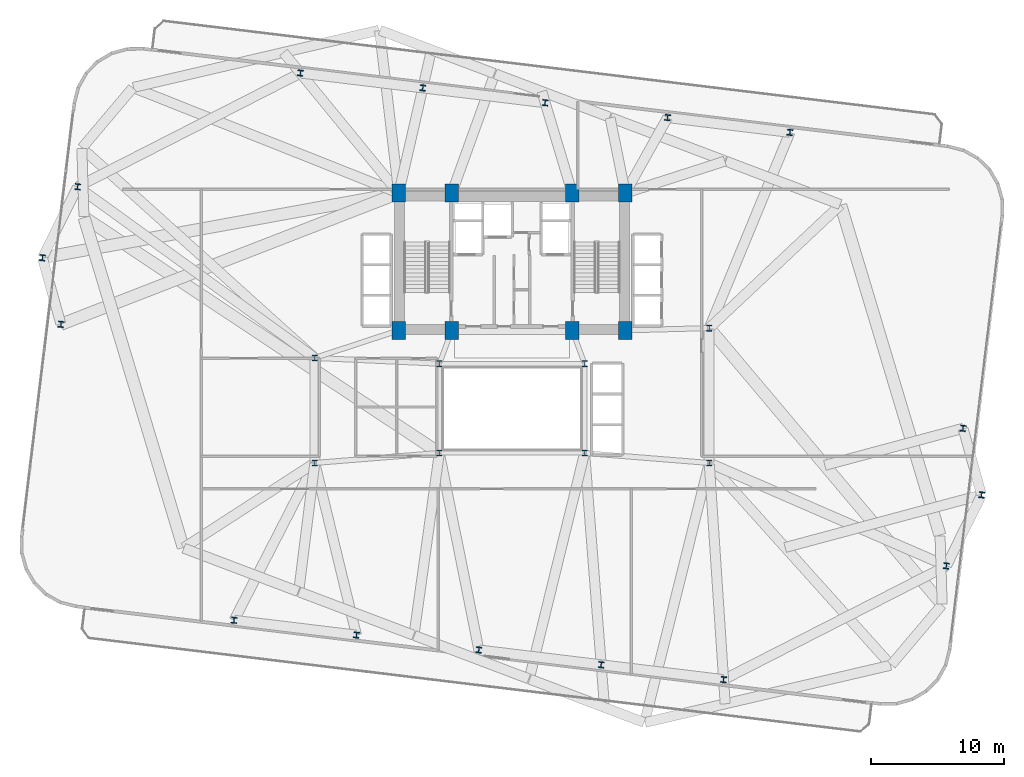
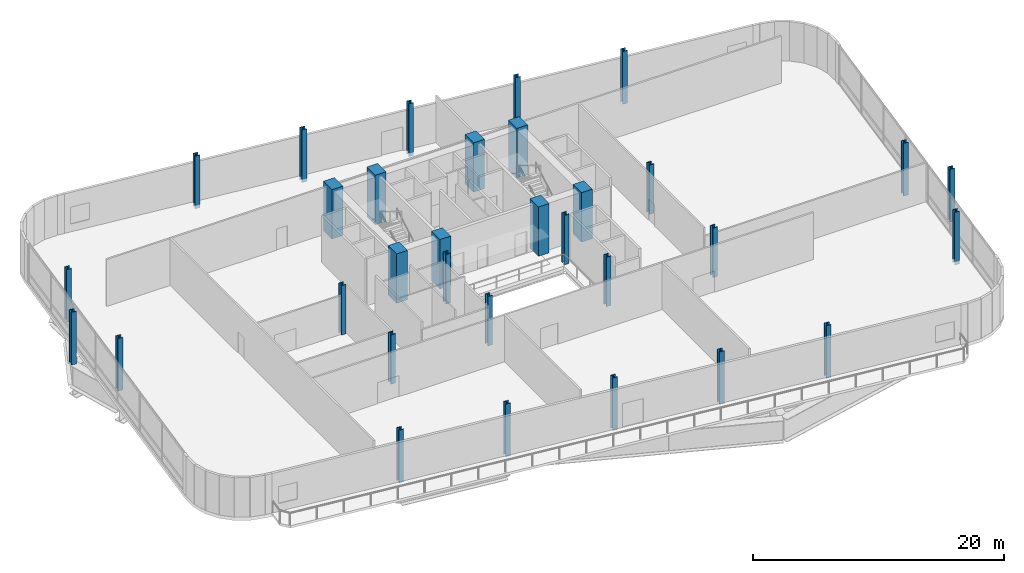
# One storey, part 1 of 22: 32 columns.
"""IFC4 building model written with IfcOpenShell, lengths in metres."""

from ifc_helpers import new_model, si_unit, direction, frame, origin, origin_2d, place, context, subcontext, project, spatial, rectangle, i_section, extrude, material, material_profile, profile_set, type_object, element, save


model = new_model("IFC4")

# Units and contexts
model_context = context("Model", 3, precision=1e-05, world=origin(), true_north=direction((0.0, 1.0)))
body_context = subcontext(model_context, "Body", "Model", "MODEL_VIEW")
ifc_project = project(units=[si_unit("LENGTHUNIT", "METRE"), si_unit("AREAUNIT", "SQUARE_METRE"), si_unit("VOLUMEUNIT", "CUBIC_METRE"), si_unit("PLANEANGLEUNIT", "RADIAN"), si_unit("MASSUNIT", "GRAM", prefix="KILO")], contexts=[model_context])

# Site, building, storey
site_placement = place(None, origin())
site = spatial("IfcSite", under=ifc_project, at=site_placement, CompositionType="ELEMENT")
building_placement = place(site_placement, origin())
building = spatial("IfcBuilding", under=site, at=building_placement, Name="Varnelok Gate Tower", CompositionType="ELEMENT")
storey_placement = place(building_placement, frame((0.0, 0.0, 116.89990234375)))
storey = spatial("IfcBuildingStorey", under=building, at=storey_placement, Name="L29", CompositionType="ELEMENT", Elevation=116.89990234375)

# Columns
ifc_material_1 = material(Name="Concrete C70/85", Category="concrete")
ifc_material_profile_1 = material_profile(ifc_material_1, rectangle(XDim=1.0, YDim=1.35009765625, at=origin_2d()), Name="RC1350X1000")
ifc_profile_set_1 = profile_set([ifc_material_profile_1], Name="Concrete C70/85")
column_type_1 = type_object("IfcColumnType", Name="COL-RC1350X1000", PredefinedType="COLUMN", material=ifc_profile_set_1)
for number, where, z_axis, x_axis, name in (
    (1, (30.699951171875, 28.75, 0.0), (0.0, 0.0, 1.0), (1.0, 0.0, 0.0), "L29 Core Spine Column SC1"),
    (2, (34.679931640625, 28.75, 0.0), (0.0, 0.0, 1.0), (1.0, 0.0, 0.0), "L29 Core Spine Column SC2"),
    (3, (43.719970703125, 28.75, 0.0), (0.0, 0.0, 1.0), (1.0, 0.0, 0.0), "L29 Core Spine Column SC3"),
    (4, (47.699951171875, 28.75, 0.0), (0.0, 0.0, 1.0), (1.0, 0.0, 0.0), "L29 Core Spine Column SC4"),
    (5, (30.699951171875, 39.050048828125, 0.0), (0.0, 0.0, 1.0), (1.0, 0.0, 0.0), "L29 Core Spine Column SC5"),
    (6, (34.679931640625, 39.050048828125, 0.0), (0.0, 0.0, 1.0), (1.0, 0.0, 0.0), "L29 Core Spine Column SC6"),
    (7, (43.719970703125, 39.050048828125, 0.0), (0.0, 0.0, 1.0), (1.0, 0.0, 0.0), "L29 Core Spine Column SC7"),
    (8, (47.699951171875, 39.050048828125, 0.0), (0.0, 0.0, 1.0), (1.0, 0.0, 0.0), "L29 Core Spine Column SC8"),
):
    element("IfcColumn", number, at=place(storey_placement, frame(where, z_axis=z_axis, x_axis=x_axis)), inside=storey, type_object=column_type_1, Name=name, PredefinedType="COLUMN", context=body_context, shape_type="SweptSolid", body=[
        extrude(rectangle(XDim=1.0, YDim=1.35009765625, at=origin_2d()), origin(), (0.0, 0.0, 1.0), 4.800048828125),
    ])
ifc_material_2 = material(Name="Structural Steel ASTM A992 Grade 50", Category="steel")
ifc_material_profile_2 = material_profile(ifc_material_2, i_section(OverallWidth=0.41796875, OverallDepth=0.455078125, WebThickness=0.0419921875, FlangeThickness=0.067626953125, FilletRadius=0.02490234375, at=origin_2d()), Name="W14X370")
ifc_profile_set_2 = profile_set([ifc_material_profile_2], Name="Structural Steel ASTM A992 Grade 50")
column_type_2 = type_object("IfcColumnType", Name="COL-W14X370", PredefinedType="COLUMN", material=ifc_profile_set_2)
for number, where, z_axis, x_axis, name in (
    (9, (18.345703125, 6.99658203125, -0.31982421875), (0.0, 0.0, 1.0), (0.992732158755, -0.12034475881, 0.0), "L29 B3 Perimeter Column PC01"),
    (10, (27.528564453125, 5.883544921875, -0.31982421875), (0.0, 0.0, 1.0), (0.992732158755, -0.12034475881, 0.0), "L29 B3 Perimeter Column PC02"),
    (11, (36.711181640625, 4.770263671875, -0.31982421875), (0.0, 0.0, 1.0), (0.992732158755, -0.12034475881, 0.0), "L29 B3 Perimeter Column PC03"),
    (12, (45.89404296875, 3.656982421875, -0.31982421875), (0.0, 0.0, 1.0), (0.992732158755, -0.12034475881, 0.0), "L29 B3 Perimeter Column PC04"),
    (13, (55.076904296875, 2.5439453125, -0.31982421875), (0.0, 0.0, 1.0), (0.992732158755, -0.12034475881, 0.0), "L29 B3 Perimeter Column PC05"),
    (14, (71.79296875, 11.07421875, -0.31982421875), (0.0, 0.0, 1.0), (0.992732158755, -0.12034475881, 0.0), "L29 B3 Perimeter Column PC06"),
    (15, (74.435546875, 16.40478515625, -0.31982421875), (0.0, 0.0, 1.0), (0.992732158755, -0.12034475881, 0.0), "L29 B3 Perimeter Column PC07"),
    (16, (73.04443359375, 21.398681640625, -0.31982421875), (0.0, 0.0, 1.0), (0.992732158755, -0.12034475881, 0.0), "L29 B3 Perimeter Column PC08"),
    (17, (60.05419921875, 43.603271484375, -0.31982421875), (0.0, 0.0, 1.0), (0.992732158755, -0.12034475881, 0.0), "L29 B3 Perimeter Column PC09"),
    (18, (50.87158203125, 44.716552734375, -0.31982421875), (0.0, 0.0, 1.0), (0.992732158755, -0.12034475881, 0.0), "L29 B3 Perimeter Column PC10"),
    (19, (41.688720703125, 45.82958984375, -0.31982421875), (0.0, 0.0, 1.0), (0.992732158755, -0.12034475881, 0.0), "L29 B3 Perimeter Column PC11"),
    (20, (32.506103515625, 46.94287109375, -0.31982421875), (0.0, 0.0, 1.0), (0.992732158755, -0.12034475881, 0.0), "L29 B3 Perimeter Column PC12"),
    (21, (23.3232421875, 48.05615234375, -0.31982421875), (0.0, 0.0, 1.0), (0.992732158755, -0.12034475881, 0.0), "L29 B3 Perimeter Column PC13"),
    (22, (6.607177734375, 39.52587890625, -0.31982421875), (0.0, 0.0, 1.0), (0.992732158755, -0.12034475881, 0.0), "L29 B3 Perimeter Column PC14"),
    (23, (3.96435546875, 34.195068359375, -0.31982421875), (0.0, 0.0, 1.0), (0.992732158755, -0.12034475881, 0.0), "L29 B3 Perimeter Column PC15"),
    (24, (5.35546875, 29.201416015625, -0.31982421875), (0.0, 0.0, 1.0), (0.992732158755, -0.12034475881, 0.0), "L29 B3 Perimeter Column PC16"),
):
    element("IfcColumn", number, at=place(storey_placement, frame(where, z_axis=z_axis, x_axis=x_axis)), inside=storey, type_object=column_type_2, Name=name, PredefinedType="COLUMN", context=body_context, shape_type="SweptSolid", body=[
        extrude(i_section(OverallWidth=0.41796875, OverallDepth=0.455078125, WebThickness=0.0419921875, FlangeThickness=0.067626953125, FilletRadius=0.02490234375, at=origin_2d()), origin(), (0.0, 0.0, 1.0), 5.119873046875),
    ])
ifc_material_profile_3 = material_profile(ifc_material_2, i_section(OverallWidth=0.424072265625, OverallDepth=0.47412109375, WebThickness=0.047607421875, FlangeThickness=0.0771484375, FilletRadius=0.02490234375, at=origin_2d()), Name="W14X426")
ifc_profile_set_3 = profile_set([ifc_material_profile_3], Name="Structural Steel ASTM A992 Grade 50")
column_type_3 = type_object("IfcColumnType", Name="COL-W14X426", PredefinedType="COLUMN", material=ifc_profile_set_3)
for number, where, z_axis, x_axis, name in (
    (25, (33.75, 19.550048828125, 0.0), (0.0, 0.0, 1.0), (1.0, 0.0, 0.0), "L29 Atrium Spine Column AC1"),
    (26, (44.64990234375, 19.550048828125, 0.0), (0.0, 0.0, 1.0), (1.0, 0.0, 0.0), "L29 Atrium Spine Column AC2"),
    (27, (33.75, 26.25, 0.0), (0.0, 0.0, 1.0), (1.0, 0.0, 0.0), "L29 Atrium Spine Column AC3"),
    (28, (44.64990234375, 26.25, 0.0), (0.0, 0.0, 1.0), (1.0, 0.0, 0.0), "L29 Atrium Spine Column AC4"),
    (29, (24.39990234375, 18.800048828125, 0.0), (0.0, 0.0, 1.0), (1.0, 0.0, 0.0), "L29 Wing Spine Column WS1"),
    (30, (24.39990234375, 26.679931640625, 0.0), (0.0, 0.0, 1.0), (1.0, 0.0, 0.0), "L29 Wing Spine Column WS2"),
    (31, (54.0, 18.800048828125, 0.0), (0.0, 0.0, 1.0), (1.0, 0.0, 0.0), "L29 Wing Spine Column ES1"),
    (32, (54.0, 28.919921875, 0.0), (0.0, 0.0, 1.0), (1.0, 0.0, 0.0), "L29 Wing Spine Column ES2"),
):
    element("IfcColumn", number, at=place(storey_placement, frame(where, z_axis=z_axis, x_axis=x_axis)), inside=storey, type_object=column_type_3, Name=name, PredefinedType="COLUMN", context=body_context, shape_type="SweptSolid", body=[
        extrude(i_section(OverallWidth=0.424072265625, OverallDepth=0.47412109375, WebThickness=0.047607421875, FlangeThickness=0.0771484375, FilletRadius=0.02490234375, at=origin_2d()), origin(), (0.0, 0.0, 1.0), 4.800048828125),
    ])

save(model, "model.ifc")
